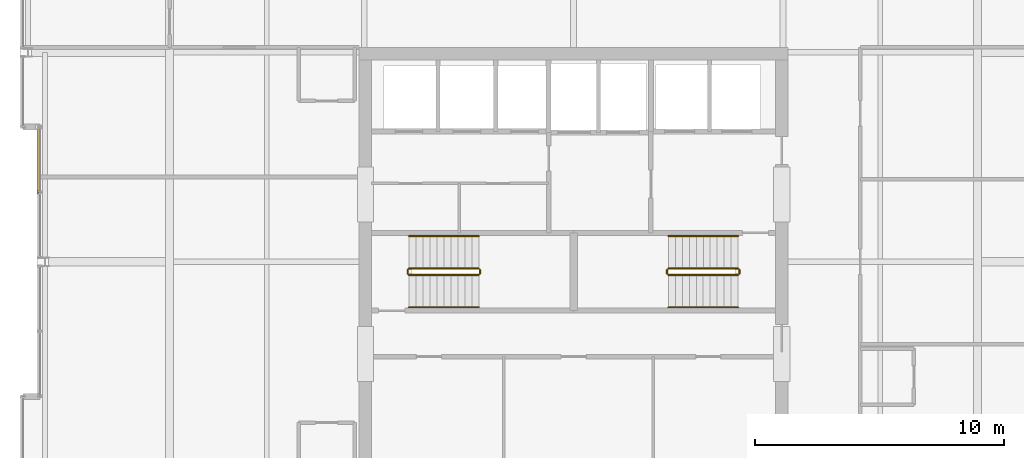
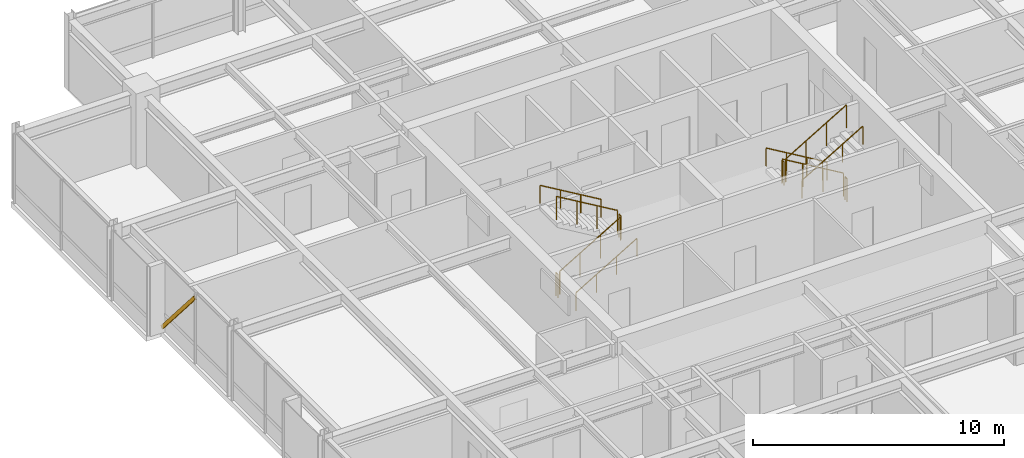
# One storey, part 33 of 34: 12 railings, 1 shading device.
"""IFC4 building model written with IfcOpenShell, lengths in metres."""

from ifc_helpers import new_model, si_unit, direction, frame, origin, origin_2d, place, context, subcontext, project, spatial, hollow_rectangle, circle, extrude, material, material_profile, profile_set, type_object, element, save


model = new_model("IFC4")

# Units and contexts
model_context = context("Model", 3, precision=1e-05, world=origin(), true_north=direction((0.0, 1.0)))
body_context = subcontext(model_context, "Body", "Model", "MODEL_VIEW")
ifc_project = project(units=[si_unit("LENGTHUNIT", "METRE"), si_unit("AREAUNIT", "SQUARE_METRE"), si_unit("VOLUMEUNIT", "CUBIC_METRE"), si_unit("PLANEANGLEUNIT", "RADIAN"), si_unit("MASSUNIT", "GRAM", prefix="KILO")], contexts=[model_context])

# Site, building, storey
site_placement = place(None, origin())
site = spatial("IfcSite", under=ifc_project, at=site_placement, CompositionType="ELEMENT")
building_placement = place(site_placement, origin())
building = spatial("IfcBuilding", under=site, at=building_placement, Name="Drelvath Grand Hotel", CompositionType="ELEMENT")
storey_placement = place(building_placement, frame((0.0, 0.0, 286.89990234375)))
storey = spatial("IfcBuildingStorey", under=building, at=storey_placement, Name="L75", CompositionType="ELEMENT", Elevation=286.89990234375)

# Railings
ifc_material_1 = material(Name="Painted Steel S275", Category="steel")
railing_type_1 = type_object("IfcRailingType", Name="Core Stair Wall Handrail 900", PredefinedType="HANDRAIL", material=ifc_material_1)
railing_1_placement = place(storey_placement, frame((-6.60009765625, 25.169921875, 0.166015625)))
element("IfcRailing", 1, at=railing_1_placement, inside=storey, type_object=railing_type_1, Name="L75 ST-1 stair handrail 1", PredefinedType="HANDRAIL", context=body_context, shape_type="SweptSolid", body=[
    extrude(circle(Radius=0.02392578125, at=origin_2d()), frame((0.0, 0.0, 0.8759765625), z_axis=(0.860306154799, 0.0, 0.50977771628), x_axis=(0.0, 1.0, 0.0)), (0.0, 0.0, 1.0), 3.254638671875),
    extrude(circle(Radius=0.02099609375, at=origin_2d()), origin(), (0.0, 0.0, 1.0), 0.851806640625),
    extrude(circle(Radius=0.02099609375, at=origin_2d()), frame((0.933349609375, 0.0, 0.552978515625)), (0.0, 0.0, 1.0), 0.851806640625),
    extrude(circle(Radius=0.02099609375, at=origin_2d()), frame((1.86669921875, 0.0, 1.106201171875)), (0.0, 0.0, 1.0), 0.851806640625),
    extrude(circle(Radius=0.02099609375, at=origin_2d()), frame((2.800048828125, 0.0, 1.6591796875)), (0.0, 0.0, 1.0), 0.851806640625),
])
for number, where, name in (
    (2, (-3.800048828125, 28.030029296875, 1.990966796875), "L75 ST-1 stair handrail 2"),
    (3, (6.60009765625, 28.030029296875, 0.166015625), "L75 ST-2 stair handrail 1"),
):
    element("IfcRailing", number, at=place(storey_placement, frame(where)), inside=storey, type_object=railing_type_1, Name=name, PredefinedType="HANDRAIL", context=body_context, shape_type="SweptSolid", body=[
        extrude(circle(Radius=0.02392578125, at=origin_2d()), frame((0.0, 0.0, 0.8759765625), z_axis=(-0.860306154799, 0.0, 0.50977771628), x_axis=(0.0, -1.0, 0.0)), (0.0, 0.0, 1.0), 3.254638671875),
        extrude(circle(Radius=0.02099609375, at=origin_2d()), origin(), (0.0, 0.0, 1.0), 0.851806640625),
        extrude(circle(Radius=0.02099609375, at=origin_2d()), frame((-0.933349609375, 0.0, 0.552978515625)), (0.0, 0.0, 1.0), 0.851806640625),
        extrude(circle(Radius=0.02099609375, at=origin_2d()), frame((-1.86669921875, 0.0, 1.106201171875)), (0.0, 0.0, 1.0), 0.851806640625),
        extrude(circle(Radius=0.02099609375, at=origin_2d()), frame((-2.800048828125, 0.0, 1.6591796875)), (0.0, 0.0, 1.0), 0.851806640625),
    ])
railing_2_placement = place(storey_placement, frame((3.800048828125, 25.169921875, 1.990966796875)))
element("IfcRailing", 4, at=railing_2_placement, inside=storey, type_object=railing_type_1, Name="L75 ST-2 stair handrail 2", PredefinedType="HANDRAIL", context=body_context, shape_type="SweptSolid", body=[
    extrude(circle(Radius=0.02392578125, at=origin_2d()), frame((0.0, 0.0, 0.8759765625), z_axis=(0.860306154799, 0.0, 0.50977771628), x_axis=(0.0, 1.0, 0.0)), (0.0, 0.0, 1.0), 3.254638671875),
    extrude(circle(Radius=0.02099609375, at=origin_2d()), origin(), (0.0, 0.0, 1.0), 0.851806640625),
    extrude(circle(Radius=0.02099609375, at=origin_2d()), frame((0.933349609375, 0.0, 0.552978515625)), (0.0, 0.0, 1.0), 0.851806640625),
    extrude(circle(Radius=0.02099609375, at=origin_2d()), frame((1.86669921875, 0.0, 1.106201171875)), (0.0, 0.0, 1.0), 0.851806640625),
    extrude(circle(Radius=0.02099609375, at=origin_2d()), frame((2.800048828125, 0.0, 1.6591796875)), (0.0, 0.0, 1.0), 0.851806640625),
])
railing_type_2 = type_object("IfcRailingType", Name="Core Stair Well Guardrail 1100", PredefinedType="GUARDRAIL", material=ifc_material_1)
railing_3_placement = place(storey_placement, frame((-6.60009765625, 26.469970703125, 0.166015625)))
element("IfcRailing", 5, at=railing_3_placement, inside=storey, type_object=railing_type_2, Name="L75 ST-1 stair guard 1", PredefinedType="GUARDRAIL", context=body_context, shape_type="SweptSolid", body=[
    extrude(circle(Radius=0.02392578125, at=origin_2d()), frame((0.0, 0.0, 1.1259765625), z_axis=(0.860306154799, 0.0, 0.50977771628), x_axis=(0.0, 1.0, 0.0)), (0.0, 0.0, 1.0), 3.254638671875),
    extrude(circle(Radius=0.02099609375, at=origin_2d()), origin(), (0.0, 0.0, 1.0), 1.101806640625),
    extrude(circle(Radius=0.02099609375, at=origin_2d()), frame((0.933349609375, 0.0, 0.552978515625)), (0.0, 0.0, 1.0), 1.101806640625),
    extrude(circle(Radius=0.02099609375, at=origin_2d()), frame((1.86669921875, 0.0, 1.106201171875)), (0.0, 0.0, 1.0), 1.101806640625),
    extrude(circle(Radius=0.02099609375, at=origin_2d()), frame((2.800048828125, 0.0, 1.6591796875)), (0.0, 0.0, 1.0), 1.101806640625),
])
railing_4_placement = place(storey_placement, frame((-3.75, 26.52001953125, 1.8251953125)))
element("IfcRailing", 6, at=railing_4_placement, inside=storey, type_object=railing_type_2, Name="L75 ST-1 stair guard 2", PredefinedType="GUARDRAIL", context=body_context, shape_type="SweptSolid", body=[
    extrude(circle(Radius=0.02392578125, at=origin_2d()), frame((0.0, 0.0, 1.1259765625), z_axis=(0.0, 1.0, 0.0), x_axis=(-1.0, 0.0, 0.0)), (0.0, 0.0, 1.0), 0.159912109375),
    extrude(circle(Radius=0.02099609375, at=origin_2d()), origin(), (0.0, 0.0, 1.0), 1.101806640625),
    extrude(circle(Radius=0.02099609375, at=origin_2d()), frame((0.0, 0.159912109375, 0.0)), (0.0, 0.0, 1.0), 1.101806640625),
])
railing_5_placement = place(storey_placement, frame((-3.800048828125, 26.72998046875, 1.990966796875)))
element("IfcRailing", 7, at=railing_5_placement, inside=storey, type_object=railing_type_2, Name="L75 ST-1 stair guard 3", PredefinedType="GUARDRAIL", context=body_context, shape_type="SweptSolid", body=[
    extrude(circle(Radius=0.02392578125, at=origin_2d()), frame((0.0, 0.0, 1.1259765625), z_axis=(-0.860306154799, 0.0, 0.50977771628), x_axis=(0.0, -1.0, 0.0)), (0.0, 0.0, 1.0), 3.254638671875),
    extrude(circle(Radius=0.02099609375, at=origin_2d()), origin(), (0.0, 0.0, 1.0), 1.101806640625),
    extrude(circle(Radius=0.02099609375, at=origin_2d()), frame((-0.933349609375, 0.0, 0.552978515625)), (0.0, 0.0, 1.0), 1.101806640625),
    extrude(circle(Radius=0.02099609375, at=origin_2d()), frame((-1.86669921875, 0.0, 1.106201171875)), (0.0, 0.0, 1.0), 1.101806640625),
    extrude(circle(Radius=0.02099609375, at=origin_2d()), frame((-2.800048828125, 0.0, 1.6591796875)), (0.0, 0.0, 1.0), 1.101806640625),
])
railing_6_placement = place(storey_placement, frame((-6.64990234375, 26.52001953125, 0.0)))
element("IfcRailing", 8, at=railing_6_placement, inside=storey, type_object=railing_type_2, Name="L75 ST-1 stair guard 4", PredefinedType="GUARDRAIL", context=body_context, shape_type="SweptSolid", body=[
    extrude(circle(Radius=0.02392578125, at=origin_2d()), frame((0.0, 0.0, 1.1259765625), z_axis=(0.0, 1.0, 0.0), x_axis=(-1.0, 0.0, 0.0)), (0.0, 0.0, 1.0), 0.159912109375),
    extrude(circle(Radius=0.02099609375, at=origin_2d()), origin(), (0.0, 0.0, 1.0), 1.101806640625),
    extrude(circle(Radius=0.02099609375, at=origin_2d()), frame((0.0, 0.159912109375, 0.0)), (0.0, 0.0, 1.0), 1.101806640625),
])
railing_7_placement = place(storey_placement, frame((6.60009765625, 26.72998046875, 0.166015625)))
element("IfcRailing", 9, at=railing_7_placement, inside=storey, type_object=railing_type_2, Name="L75 ST-2 stair guard 1", PredefinedType="GUARDRAIL", context=body_context, shape_type="SweptSolid", body=[
    extrude(circle(Radius=0.02392578125, at=origin_2d()), frame((0.0, 0.0, 1.1259765625), z_axis=(-0.860306154799, 0.0, 0.50977771628), x_axis=(0.0, -1.0, 0.0)), (0.0, 0.0, 1.0), 3.254638671875),
    extrude(circle(Radius=0.02099609375, at=origin_2d()), origin(), (0.0, 0.0, 1.0), 1.101806640625),
    extrude(circle(Radius=0.02099609375, at=origin_2d()), frame((-0.933349609375, 0.0, 0.552978515625)), (0.0, 0.0, 1.0), 1.101806640625),
    extrude(circle(Radius=0.02099609375, at=origin_2d()), frame((-1.86669921875, 0.0, 1.106201171875)), (0.0, 0.0, 1.0), 1.101806640625),
    extrude(circle(Radius=0.02099609375, at=origin_2d()), frame((-2.800048828125, 0.0, 1.6591796875)), (0.0, 0.0, 1.0), 1.101806640625),
])
railing_8_placement = place(storey_placement, frame((3.75, 26.679931640625, 1.8251953125)))
element("IfcRailing", 10, at=railing_8_placement, inside=storey, type_object=railing_type_2, Name="L75 ST-2 stair guard 2", PredefinedType="GUARDRAIL", context=body_context, shape_type="SweptSolid", body=[
    extrude(circle(Radius=0.02392578125, at=origin_2d()), frame((0.0, 0.0, 1.1259765625), z_axis=(0.0, -1.0, 0.0), x_axis=(1.0, 0.0, 0.0)), (0.0, 0.0, 1.0), 0.159912109375),
    extrude(circle(Radius=0.02099609375, at=origin_2d()), origin(), (0.0, 0.0, 1.0), 1.101806640625),
    extrude(circle(Radius=0.02099609375, at=origin_2d()), frame((0.0, -0.159912109375, 0.0)), (0.0, 0.0, 1.0), 1.101806640625),
])
railing_9_placement = place(storey_placement, frame((3.800048828125, 26.469970703125, 1.990966796875)))
element("IfcRailing", 11, at=railing_9_placement, inside=storey, type_object=railing_type_2, Name="L75 ST-2 stair guard 3", PredefinedType="GUARDRAIL", context=body_context, shape_type="SweptSolid", body=[
    extrude(circle(Radius=0.02392578125, at=origin_2d()), frame((0.0, 0.0, 1.1259765625), z_axis=(0.860306154799, 0.0, 0.50977771628), x_axis=(0.0, 1.0, 0.0)), (0.0, 0.0, 1.0), 3.254638671875),
    extrude(circle(Radius=0.02099609375, at=origin_2d()), origin(), (0.0, 0.0, 1.0), 1.101806640625),
    extrude(circle(Radius=0.02099609375, at=origin_2d()), frame((0.933349609375, 0.0, 0.552978515625)), (0.0, 0.0, 1.0), 1.101806640625),
    extrude(circle(Radius=0.02099609375, at=origin_2d()), frame((1.86669921875, 0.0, 1.106201171875)), (0.0, 0.0, 1.0), 1.101806640625),
    extrude(circle(Radius=0.02099609375, at=origin_2d()), frame((2.800048828125, 0.0, 1.6591796875)), (0.0, 0.0, 1.0), 1.101806640625),
])
railing_10_placement = place(storey_placement, frame((6.64990234375, 26.679931640625, 0.0)))
element("IfcRailing", 12, at=railing_10_placement, inside=storey, type_object=railing_type_2, Name="L75 ST-2 stair guard 4", PredefinedType="GUARDRAIL", context=body_context, shape_type="SweptSolid", body=[
    extrude(circle(Radius=0.02392578125, at=origin_2d()), frame((0.0, 0.0, 1.1259765625), z_axis=(0.0, -1.0, 0.0), x_axis=(1.0, 0.0, 0.0)), (0.0, 0.0, 1.0), 0.159912109375),
    extrude(circle(Radius=0.02099609375, at=origin_2d()), origin(), (0.0, 0.0, 1.0), 1.101806640625),
    extrude(circle(Radius=0.02099609375, at=origin_2d()), frame((0.0, -0.159912109375, 0.0)), (0.0, 0.0, 1.0), 1.101806640625),
])

# Shading device
ifc_material_2 = material(Name="Platinum-Mist Anodised Aluminium", Category="aluminium")
ifc_material_profile = material_profile(ifc_material_2, hollow_rectangle(XDim=0.06494140625, YDim=0.159912109375, WallThickness=0.00390625, at=origin_2d()), Name="HSS160X65X4")
ifc_profile_set = profile_set([ifc_material_profile], Name="Platinum-Mist Anodised Aluminium")
shading_device_type = type_object("IfcShadingDeviceType", Name="Diagonal Solar Fin Platinum Anodised HSS160X65X4", PredefinedType="USERDEFINED", material=ifc_profile_set)
shading_device_placement = place(storey_placement, frame((-21.47998046875, 32.39990234375, 0.18017578125), z_axis=(0.0, -0.653354613196, 0.757052012358), x_axis=(1.0, 0.0, 0.0)))
element("IfcShadingDevice", 13, at=shading_device_placement, inside=storey, type_object=shading_device_type, Name="L75 Diagonal Anodised Fin CW05-L75-WM2", ObjectType="FIN", PredefinedType="USERDEFINED", context=body_context, shape_type="SweptSolid", body=[
    extrude(hollow_rectangle(XDim=0.06494140625, YDim=0.159912109375, WallThickness=0.00390625, at=origin_2d()), origin(), (0.0, 0.0, 1.0), 4.00244140625),
])

save(model, "model.ifc")
